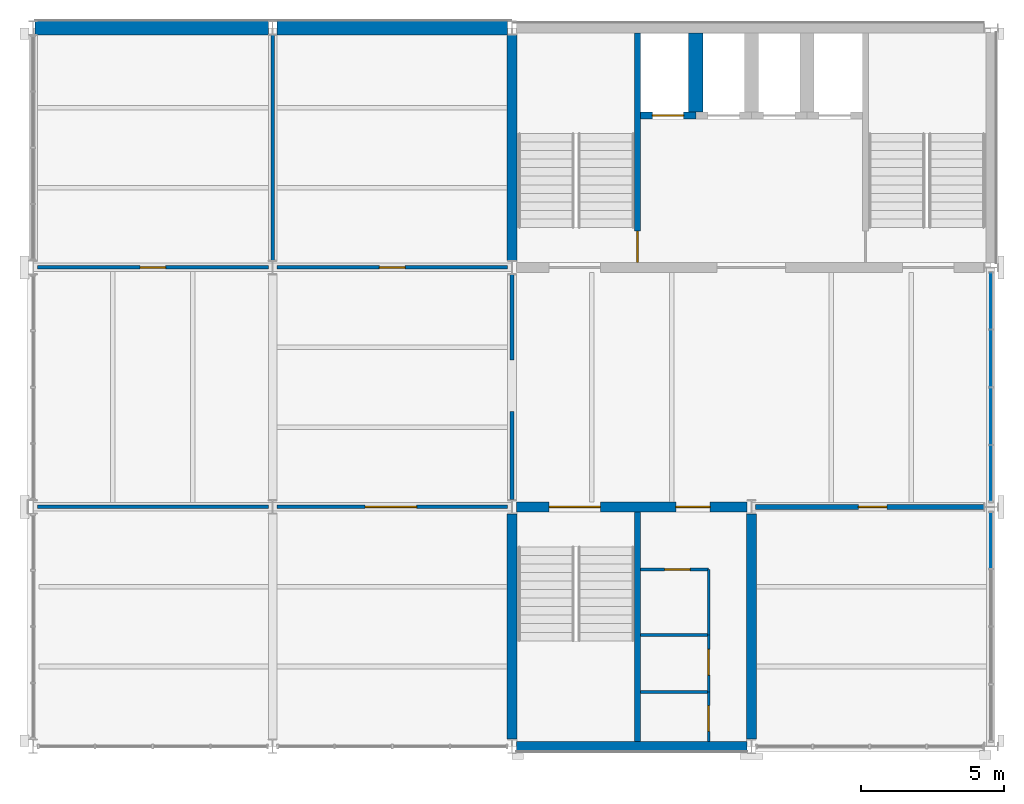
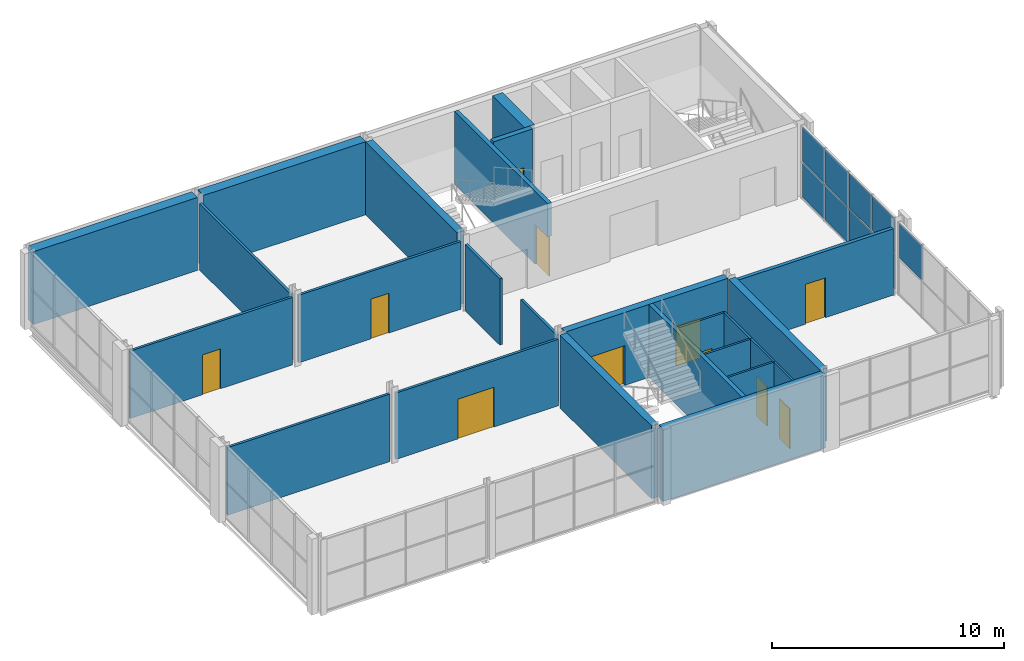
# One storey, part 8 of 12: 25 walls, 11 doors, 9 plates, 11 openings, 2 elements without a shape of their own.
"""IFC4 building model written with IfcOpenShell, lengths in metres."""

import ifcopenshell
import ifcopenshell.guid

model = None  # the IFC model being written
_history = None  # IfcOwnerHistory: only IFC2X3 demands one
_inside = {}  # id of a spatial element -> (the spatial element, [elements in it])
_under = {}  # id of a project, library or spatial element -> (it, [spatial elements below it])
_declared = {}  # id of a project -> (the project, [libraries it declares])
_typed = {}  # id of a type object -> (the type object, [elements of that type])
_made_of = {}  # id of a material, layer set ... -> (it, [elements and type objects made of it])


def new_model(schema):
    """Start an empty IFC model of exactly this schema.

    Asked for "IFC4X3", IfcOpenShell would pick the latest addendum, in which some entities
    have other attributes; the version numbers below select the first issue.
    IFC2X3 requires an IfcOwnerHistory on every rooted entity: one is made here for all.
    """
    global model, _history
    if schema == "IFC4X3":
        model = ifcopenshell.file(schema_version=(4, 3, 0, 0))
    else:
        model = ifcopenshell.file(schema=schema)
    _inside.clear()
    _under.clear()
    _declared.clear()
    _typed.clear()
    _made_of.clear()
    _history = None
    if model.schema == "IFC2X3":
        org = make("IfcOrganization", Name="unknown")
        user = make(
            "IfcPersonAndOrganization",
            ThePerson=make("IfcPerson", FamilyName="unknown"),
            TheOrganization=org,
        )
        app = make(
            "IfcApplication",
            ApplicationDeveloper=org,
            Version="unknown",
            ApplicationFullName="unknown",
            ApplicationIdentifier="unknown",
        )
        _history = make(
            "IfcOwnerHistory",
            OwningUser=user,
            OwningApplication=app,
            ChangeAction="ADDED",
            CreationDate=0,
        )
    return model


def make(cls, **values):
    """One entity of the class cls with the attributes given. An attribute that is None is left unset."""
    return model.create_entity(
        cls, **{name: value for name, value in values.items() if value is not None}
    )


def rooted(cls, **values):
    """An entity with a GlobalId (a new one), such as an element, a storey or a relation."""
    return make(cls, GlobalId=ifcopenshell.guid.new(), OwnerHistory=_history, **values)


def si_unit(unit_type, name, prefix=None):
    """IfcSIUnit, for example si_unit("LENGTHUNIT", "METRE", prefix="MILLI")."""
    return make("IfcSIUnit", UnitType=unit_type, Prefix=prefix, Name=name)


def assignment(units):
    """IfcUnitAssignment: the units of a project."""
    return None if units is None else make("IfcUnitAssignment", Units=units)


def point(xyz):
    """IfcCartesianPoint."""
    return None if xyz is None else make("IfcCartesianPoint", Coordinates=xyz)


def direction(xyz):
    """IfcDirection."""
    return None if xyz is None else make("IfcDirection", DirectionRatios=xyz)


def frame(location, z_axis=None, x_axis=None):
    """IfcAxis2Placement3D, a coordinate frame: its origin and axes. An axis left out is left unset."""
    return make(
        "IfcAxis2Placement3D",
        Location=point(location),
        Axis=direction(z_axis),
        RefDirection=direction(x_axis),
    )


def frame_2d(location, x_axis=None):
    """IfcAxis2Placement2D, a coordinate frame in the plane: its origin and x axis."""
    return make(
        "IfcAxis2Placement2D", Location=point(location), RefDirection=direction(x_axis)
    )


def origin():
    """The frame at (0, 0, 0) with its axes left unset."""
    return frame((0.0, 0.0, 0.0))


def origin_2d():
    """The frame at (0, 0) in the plane with its x axis left unset."""
    return frame_2d((0.0, 0.0))


def place(relative_to, where):
    """IfcLocalPlacement: puts the frame where relative to a parent placement (None: the world)."""
    return make(
        "IfcLocalPlacement", PlacementRelTo=relative_to, RelativePlacement=where
    )


def context(
    kind, dimensions, precision=None, world=None, true_north=None, identifier=None
):
    """IfcGeometricRepresentationContext, for example the 3D "Model" context."""
    return make(
        "IfcGeometricRepresentationContext",
        ContextIdentifier=identifier,
        ContextType=kind,
        CoordinateSpaceDimension=dimensions,
        Precision=precision,
        WorldCoordinateSystem=world,
        TrueNorth=true_north,
    )


def subcontext(parent, identifier, kind, view, scale=None):
    """IfcGeometricRepresentationSubContext, for example "Body" below "Model"."""
    return make(
        "IfcGeometricRepresentationSubContext",
        ContextIdentifier=identifier,
        ContextType=kind,
        ParentContext=parent,
        TargetScale=scale,
        TargetView=view,
    )


def project(units=None, contexts=None):
    """IfcProject with its units and contexts."""
    return rooted(
        "IfcProject",
        Name="project",
        RepresentationContexts=contexts,
        UnitsInContext=assignment(units),
    )


def spatial(cls, under=None, at=None, **own):
    """A site, building, storey or space (cls), placed at a placement, below another one or the project."""
    s = rooted(cls, ObjectPlacement=at, **own)
    if under is not None:
        _under.setdefault(under.id(), (under, []))[1].append(s)
    return s


def profile(cls, at=None, kind="AREA", **sizes):
    """A parametric profile (cls). Its sizes go by their IFC names, for example OverallWidth=200.0."""
    return make(cls, ProfileType=kind, Position=at, **sizes)


def rectangle(**sizes):
    """IfcRectangleProfileDef."""
    return profile("IfcRectangleProfileDef", **sizes)


def extrude(swept, where, along, depth):
    """IfcExtrudedAreaSolid: the profile swept, set in the frame where, extruded along a direction by depth."""
    return make(
        "IfcExtrudedAreaSolid",
        SweptArea=swept,
        Position=where,
        ExtrudedDirection=direction(along),
        Depth=depth,
    )


def shape(context_of_items, identifier, shape_type, items):
    """IfcShapeRepresentation: the items that make up one representation, for example the "Body"."""
    return make(
        "IfcShapeRepresentation",
        ContextOfItems=context_of_items,
        RepresentationIdentifier=identifier,
        RepresentationType=shape_type,
        Items=items,
    )


def material(Name=None, Category=None):
    """IfcMaterial."""
    return make("IfcMaterial", Name=Name, Category=Category)


def layer(
    of_material, thickness, ventilated=None, Name=None, Category=None, Priority=None
):
    """IfcMaterialLayer: one layer of a wall or slab, of a material (None: an air gap)."""
    return make(
        "IfcMaterialLayer",
        Material=of_material,
        LayerThickness=thickness,
        IsVentilated=ventilated,
        Name=Name,
        Category=Category,
        Priority=Priority,
    )


def layer_set(layers, Name=None):
    """IfcMaterialLayerSet."""
    return make("IfcMaterialLayerSet", MaterialLayers=layers, LayerSetName=Name)


def made_of(thing, what):
    """Note that an element or type object is made of a material, layer set ...; save() writes the relation."""
    if what is not None:
        _made_of.setdefault(what.id(), (what, []))[1].append(thing)
    return thing


def type_object(cls, material=None, **own):
    """A type object (cls), such as IfcWallType, which elements share."""
    return made_of(rooted(cls, **own), material)


def element(
    cls,
    number,
    at=None,
    inside=None,
    cuts=None,
    type_object=None,
    material=None,
    context=None,
    identifier="Body",
    shape_type=None,
    held_by="IfcProductDefinitionShape",
    body=None,
    shapes=None,
    **own,
):
    """One element of the class cls, such as IfcWall. Its Tag is "e" and its number.

    at: its placement. inside: the storey or other place that contains it. cuts: it is an
    opening in that element (IfcRelVoidsElement). A single representation is given by context,
    identifier, shape_type and body (its items); several are given by shapes. held_by: the class
    of the entity that holds the representations. save() writes the other relations.
    """
    e = rooted(cls, Tag="e%d" % number, ObjectPlacement=at, **own)
    if body is not None:
        shapes = [shape(context, identifier, shape_type, body)]
    if shapes is not None:
        e.Representation = make(held_by, Representations=shapes)
    if inside is not None:
        _inside.setdefault(inside.id(), (inside, []))[1].append(e)
    if cuts is not None:
        rooted(
            "IfcRelVoidsElement", RelatingBuildingElement=cuts, RelatedOpeningElement=e
        )
    if type_object is not None:
        _typed.setdefault(type_object.id(), (type_object, []))[1].append(e)
    return made_of(e, material)


def fill(opening, filler):
    """IfcRelFillsElement: the door or window that sits in an opening."""
    return rooted(
        "IfcRelFillsElement",
        RelatingOpeningElement=opening,
        RelatedBuildingElement=filler,
    )


def aggregate(whole, parts):
    """IfcRelAggregates: a whole, such as a stair, and the parts it consists of."""
    return rooted("IfcRelAggregates", RelatingObject=whole, RelatedObjects=parts)


def save(model, path):
    """Write the relations noted so far, then the file.

    IfcRelAggregates (storeys below a building ...), IfcRelContainedInSpatialStructure (elements
    in a storey), IfcRelDefinesByType, IfcRelAssociatesMaterial and IfcRelDeclares: one each for
    every whole, place, type object, material and project.
    """
    for whole, parts in _under.values():
        aggregate(whole, parts)
    for where, things in _inside.values():
        rooted(
            "IfcRelContainedInSpatialStructure",
            RelatedElements=things,
            RelatingStructure=where,
        )
    for kind, things in _typed.values():
        rooted("IfcRelDefinesByType", RelatedObjects=things, RelatingType=kind)
    for what, things in _made_of.values():
        rooted("IfcRelAssociatesMaterial", RelatedObjects=things, RelatingMaterial=what)
    for by, libraries in _declared.values():
        rooted("IfcRelDeclares", RelatingContext=by, RelatedDefinitions=libraries)
    model.write(path)


model = new_model("IFC4")

# Units and contexts
model_context = context("Model", 3, precision=1e-05, world=origin(), true_north=direction((0.0, 1.0)))
body_context = subcontext(model_context, "Body", "Model", "MODEL_VIEW")
ifc_project = project(units=[si_unit("LENGTHUNIT", "METRE"), si_unit("AREAUNIT", "SQUARE_METRE"), si_unit("VOLUMEUNIT", "CUBIC_METRE"), si_unit("PLANEANGLEUNIT", "RADIAN"), si_unit("MASSUNIT", "GRAM", prefix="KILO")], contexts=[model_context])

# Site, building, storey
site_placement = place(None, origin())
site = spatial("IfcSite", under=ifc_project, at=site_placement, CompositionType="ELEMENT")
building_placement = place(site_placement, origin())
building = spatial("IfcBuilding", under=site, at=building_placement, Name="Galleria Vessillo Department Store", CompositionType="ELEMENT")
storey_placement = place(building_placement, frame((0.0, 0.0, 35.60009765625)))
storey = spatial("IfcBuildingStorey", under=building, at=storey_placement, Name="L07", CompositionType="ELEMENT", Elevation=35.60009765625)

# Curtain wall, plate
ifc_material_1 = material(Name="Aluminium and glass curtain wall", Category="aluminium")
ifc_layer_1 = layer(ifc_material_1, 0.159912109375)
ifc_layer_set_1 = layer_set([ifc_layer_1], Name="Aluminium and glass curtain wall")
curtain_wall_type = type_object("IfcCurtainWallType", Name="Tower curtain wall CW4 2100 module", PredefinedType="NOTDEFINED", material=ifc_layer_set_1)
curtain_wall_1_placement = place(storey_placement, origin())
curtain_wall_1 = element("IfcCurtainWall", 1, at=curtain_wall_1_placement, inside=storey, type_object=curtain_wall_type, Name="Tower curtain wall CW4 2100 module TE-L07-01", PredefinedType="NOTDEFINED")
ifc_material_2 = material(Name="Glass laminated 44.2 low-e", Category="glass")
ifc_layer_2 = layer(ifc_material_2, 0.028076171875)
ifc_layer_set_2 = layer_set([ifc_layer_2], Name="Glass laminated 44.2 low-e")
plate_type_1 = type_object("IfcPlateType", Name="Laminated glass panel 28 mm", PredefinedType="CURTAIN_PANEL", material=ifc_layer_set_2)
plate_1_placement = place(storey_placement, frame((117.60009765625, 45.0224609375, 1.955078125), z_axis=(0.0, 0.0, 1.0), x_axis=(0.0, 1.0, 0.0)))
plate_1 = element("IfcPlate", 2, at=plate_1_placement, type_object=plate_type_1, Name="CW4 panel 4.2", PredefinedType="CURTAIN_PANEL", context=body_context, shape_type="SweptSolid", body=[
    extrude(rectangle(XDim=1.93505859375, YDim=0.028076171875, at=origin_2d()), origin(), (0.0, 0.0, 1.0), 1.835205078125),
])
aggregate(curtain_wall_1, [plate_1])

# Curtain wall, plates
curtain_wall_2_placement = place(storey_placement, origin())
curtain_wall_2 = element("IfcCurtainWall", 3, at=curtain_wall_2_placement, inside=storey, type_object=curtain_wall_type, Name="Tower curtain wall CW4 2100 module TE-L07-02", PredefinedType="NOTDEFINED")
plate_2_placement = place(storey_placement, frame((117.60009765625, 47.37744140625, 1.955078125), z_axis=(0.0, 0.0, 1.0), x_axis=(0.0, 1.0, 0.0)))
plate_2 = element("IfcPlate", 4, at=plate_2_placement, type_object=plate_type_1, Name="CW4 panel 1.2", PredefinedType="CURTAIN_PANEL", context=body_context, shape_type="SweptSolid", body=[
    extrude(rectangle(XDim=1.93505859375, YDim=0.028076171875, at=origin_2d()), origin(), (0.0, 0.0, 1.0), 1.835205078125),
])
plate_3_placement = place(storey_placement, frame((117.60009765625, 49.387451171875, 1.955078125), z_axis=(0.0, 0.0, 1.0), x_axis=(0.0, 1.0, 0.0)))
plate_3 = element("IfcPlate", 5, at=plate_3_placement, type_object=plate_type_1, Name="CW4 panel 2.2", PredefinedType="CURTAIN_PANEL", context=body_context, shape_type="SweptSolid", body=[
    extrude(rectangle(XDim=1.965087890625, YDim=0.028076171875, at=origin_2d()), origin(), (0.0, 0.0, 1.0), 1.835205078125),
])
plate_4_placement = place(storey_placement, frame((117.60009765625, 51.41259765625, 1.955078125), z_axis=(0.0, 0.0, 1.0), x_axis=(0.0, 1.0, 0.0)))
plate_4 = element("IfcPlate", 6, at=plate_4_placement, type_object=plate_type_1, Name="CW4 panel 3.2", PredefinedType="CURTAIN_PANEL", context=body_context, shape_type="SweptSolid", body=[
    extrude(rectangle(XDim=1.965087890625, YDim=0.028076171875, at=origin_2d()), origin(), (0.0, 0.0, 1.0), 1.835205078125),
])
plate_5_placement = place(storey_placement, frame((117.60009765625, 53.422607421875, 1.955078125), z_axis=(0.0, 0.0, 1.0), x_axis=(0.0, 1.0, 0.0)))
plate_5 = element("IfcPlate", 7, at=plate_5_placement, type_object=plate_type_1, Name="CW4 panel 4.2", PredefinedType="CURTAIN_PANEL", context=body_context, shape_type="SweptSolid", body=[
    extrude(rectangle(XDim=1.93505859375, YDim=0.028076171875, at=origin_2d()), origin(), (0.0, 0.0, 1.0), 1.835205078125),
])
ifc_material_3 = material(Name="Limestone spandrel on aluminium tray", Category="masonry")
ifc_layer_3 = layer(ifc_material_3, 0.028076171875)
ifc_layer_set_3 = layer_set([ifc_layer_3], Name="Limestone spandrel on aluminium tray")
plate_type_2 = type_object("IfcPlateType", Name="Stone spandrel panel 28 mm", PredefinedType="CURTAIN_PANEL", material=ifc_layer_set_3)
plate_6_placement = place(storey_placement, frame((117.60009765625, 47.37744140625, 0.06005859375), z_axis=(0.0, 0.0, 1.0), x_axis=(0.0, 1.0, 0.0)))
plate_6 = element("IfcPlate", 8, at=plate_6_placement, type_object=plate_type_2, Name="CW4 panel 1.1", PredefinedType="CURTAIN_PANEL", context=body_context, shape_type="SweptSolid", body=[
    extrude(rectangle(XDim=1.93505859375, YDim=0.028076171875, at=origin_2d()), origin(), (0.0, 0.0, 1.0), 1.8349609375),
])
plate_7_placement = place(storey_placement, frame((117.60009765625, 49.387451171875, 0.06005859375), z_axis=(0.0, 0.0, 1.0), x_axis=(0.0, 1.0, 0.0)))
plate_7 = element("IfcPlate", 9, at=plate_7_placement, type_object=plate_type_2, Name="CW4 panel 2.1", PredefinedType="CURTAIN_PANEL", context=body_context, shape_type="SweptSolid", body=[
    extrude(rectangle(XDim=1.965087890625, YDim=0.028076171875, at=origin_2d()), origin(), (0.0, 0.0, 1.0), 1.8349609375),
])
plate_8_placement = place(storey_placement, frame((117.60009765625, 51.41259765625, 0.06005859375), z_axis=(0.0, 0.0, 1.0), x_axis=(0.0, 1.0, 0.0)))
plate_8 = element("IfcPlate", 10, at=plate_8_placement, type_object=plate_type_2, Name="CW4 panel 3.1", PredefinedType="CURTAIN_PANEL", context=body_context, shape_type="SweptSolid", body=[
    extrude(rectangle(XDim=1.965087890625, YDim=0.028076171875, at=origin_2d()), origin(), (0.0, 0.0, 1.0), 1.8349609375),
])
plate_9_placement = place(storey_placement, frame((117.60009765625, 53.422607421875, 0.06005859375), z_axis=(0.0, 0.0, 1.0), x_axis=(0.0, 1.0, 0.0)))
plate_9 = element("IfcPlate", 11, at=plate_9_placement, type_object=plate_type_2, Name="CW4 panel 4.1", PredefinedType="CURTAIN_PANEL", context=body_context, shape_type="SweptSolid", body=[
    extrude(rectangle(XDim=1.93505859375, YDim=0.028076171875, at=origin_2d()), origin(), (0.0, 0.0, 1.0), 1.8349609375),
])
aggregate(curtain_wall_2, [plate_6, plate_2, plate_7, plate_3, plate_8, plate_4, plate_9, plate_5])

# Wall, opening, door
ifc_material_4 = material(Name="Acoustic gypsum board partition")
ifc_layer_4 = layer(ifc_material_4, 0.175048828125)
ifc_layer_set_4 = layer_set([ifc_layer_4], Name="Acoustic gypsum board partition")
wall_type_1 = type_object("IfcWallType", Name="Acoustic conference partition 175 mm", PredefinedType="PARTITIONING", material=ifc_layer_set_4)
wall_1_placement = place(storey_placement, frame((109.349853515625, 46.199951171875, 0.0), z_axis=(0.0, 0.0, 1.0), x_axis=(1.0, 0.0, 0.0)))
wall_1 = element("IfcWall", 12, at=wall_1_placement, inside=storey, type_object=wall_type_1, Name="Partition wall PT6 on L07 no. 009", PredefinedType="PARTITIONING", context=body_context, shape_type="SweptSolid", body=[
    extrude(rectangle(XDim=8.000244140625, YDim=0.175048828125, at=frame_2d((4.0, 0.0))), origin(), (0.0, 0.0, 1.0), 3.5),
])
opening_1_placement = place(wall_1_placement, frame((3.60009765625, 0.0, 0.0)))
opening_1 = element("IfcOpeningElement", 13, at=opening_1_placement, cuts=wall_1, Name="Opening D2905", PredefinedType="OPENING", context=body_context, shape_type="SweptSolid", body=[
    extrude(rectangle(XDim=1.0, YDim=2.10009765625, at=frame_2d((0.5, 1.050048828125))), frame((0.0, 0.09765625, 0.0), z_axis=(0.0, -1.0, 0.0), x_axis=(1.0, 0.0, 0.0)), (0.0, 0.0, 1.0), 0.195068359375),
])
ifc_material_5 = material(Name="Timber and glass door leaf", Category="wood")
door_type_1 = type_object("IfcDoorType", Name="Floor door 1000 single leaf", OperationType="SINGLE_SWING_LEFT", PredefinedType="DOOR", material=ifc_material_5)
door_1_placement = place(opening_1_placement, frame((1.0, 0.0, 0.0), z_axis=(0.0, 0.0, 1.0), x_axis=(-1.0, 0.0, 0.0)))
door_1 = element("IfcDoor", 14, at=door_1_placement, inside=storey, type_object=door_type_1, Name="Door D2905", OperationType="SINGLE_SWING_RIGHT", OverallHeight=2.10009765625, OverallWidth=1.0, PredefinedType="DOOR", context=body_context, shape_type="SweptSolid", body=[
    extrude(rectangle(XDim=1.0, YDim=2.10009765625, at=frame_2d((0.5, 1.050048828125))), frame((0.0, 0.02490234375, 0.0), z_axis=(0.0, -1.0, 0.0), x_axis=(1.0, 0.0, 0.0)), (0.0, 0.0, 1.0), 0.050048828125),
])
fill(opening_1, door_1)

# Wall
ifc_material_6 = material(Name="Solid clay block masonry", Category="masonry")
ifc_layer_5 = layer(ifc_material_6, 0.5)
ifc_layer_set_5 = layer_set([ifc_layer_5], Name="Solid clay block masonry")
wall_type_2 = type_object("IfcWallType", Name="Lift shaft partition wall 500 mm", PredefinedType="SOLIDWALL", material=ifc_layer_set_5)
wall_2_placement = place(storey_placement, frame((107.25, 62.824951171875, 0.0), z_axis=(0.0, 0.0, 1.0), x_axis=(0.0, -1.0, 0.0)))
element("IfcWall", 15, at=wall_2_placement, inside=storey, type_object=wall_type_2, Name="Lift shaft partition wall T1 L07", PredefinedType="SOLIDWALL", context=body_context, shape_type="SweptSolid", body=[
    extrude(rectangle(XDim=2.77490234375, YDim=0.5, at=frame_2d((1.387451171875, 0.0))), origin(), (0.0, 0.0, 1.0), 4.0),
])

# Wall, opening, door
ifc_material_7 = material(Name="Solid clay block masonry", Category="masonry")
ifc_layer_6 = layer(ifc_material_7, 0.25)
ifc_layer_set_6 = layer_set([ifc_layer_6], Name="Solid clay block masonry")
wall_type_3 = type_object("IfcWallType", Name="Lift shaft wall 250 mm", PredefinedType="SOLIDWALL", material=ifc_layer_set_6)
wall_3_placement = place(storey_placement, frame((105.300048828125, 59.925048828125, 0.0), z_axis=(0.0, 0.0, 1.0), x_axis=(1.0, 0.0, 0.0)))
wall_3 = element("IfcWall", 16, at=wall_3_placement, inside=storey, type_object=wall_type_3, Name="Lift shaft wall T1 landing side L07", PredefinedType="SOLIDWALL", context=body_context, shape_type="SweptSolid", body=[
    extrude(rectangle(XDim=1.949951171875, YDim=0.25, at=frame_2d((0.97509765625, 0.0))), origin(), (0.0, 0.0, 1.0), 4.0),
])
opening_2_placement = place(wall_3_placement, frame((0.4248046875, 0.0, 0.0)))
opening_2 = element("IfcOpeningElement", 17, at=opening_2_placement, cuts=wall_3, Name="Opening LD101", PredefinedType="OPENING", context=body_context, shape_type="SweptSolid", body=[
    extrude(rectangle(XDim=1.10009765625, YDim=2.10009765625, at=frame_2d((0.550048828125, 1.050048828125))), frame((0.0, 0.135009765625, 0.0), z_axis=(0.0, -1.0, 0.0), x_axis=(1.0, 0.0, 0.0)), (0.0, 0.0, 1.0), 0.27001953125),
])
ifc_material_8 = material(Name="Stainless steel lift door panel", Category="steel")
door_type_2 = type_object("IfcDoorType", Name="Lift landing door LD110 sliding 1100 x 2100", OperationType="SLIDING_TO_LEFT", PredefinedType="DOOR", material=ifc_material_8)
door_2_placement = place(opening_2_placement, frame((1.10009765625, 0.0, 0.0), z_axis=(0.0, 0.0, 1.0), x_axis=(-1.0, 0.0, 0.0)))
door_2 = element("IfcDoor", 18, at=door_2_placement, inside=storey, type_object=door_type_2, Name="Lift landing door T1 L07", OperationType="SLIDING_TO_RIGHT", OverallHeight=2.10009765625, OverallWidth=1.10009765625, PredefinedType="DOOR", context=body_context, shape_type="SweptSolid", body=[
    extrude(rectangle(XDim=1.10009765625, YDim=2.10009765625, at=frame_2d((0.550048828125, 1.050048828125))), frame((0.0, 0.02490234375, 0.0), z_axis=(0.0, -1.0, 0.0), x_axis=(1.0, 0.0, 0.0)), (0.0, 0.0, 1.0), 0.050048828125),
])
fill(opening_2, door_2)

# Wall
ifc_material_9 = material(Name="Gypsum board partition")
ifc_layer_7 = layer(ifc_material_9, 0.125)
ifc_layer_set_7 = layer_set([ifc_layer_7], Name="Gypsum board partition")
wall_type_4 = type_object("IfcWallType", Name="Office partition 125 mm", PredefinedType="PARTITIONING", material=ifc_layer_set_7)
wall_4_placement = place(storey_placement, frame((84.14990234375, 46.199951171875, 0.0), z_axis=(0.0, 0.0, 1.0), x_axis=(1.0, 0.0, 0.0)))
element("IfcWall", 19, at=wall_4_placement, inside=storey, type_object=wall_type_4, Name="Partition wall PT2 on L07 no. 007", PredefinedType="PARTITIONING", context=body_context, shape_type="SweptSolid", body=[
    extrude(rectangle(XDim=8.10009765625, YDim=0.125, at=frame_2d((4.050048828125, 0.0))), origin(), (0.0, 0.0, 1.0), 3.56005859375),
])

# Wall, opening, door
wall_5_placement = place(storey_placement, frame((92.5498046875, 46.199951171875, 0.0), z_axis=(0.0, 0.0, 1.0), x_axis=(1.0, 0.0, 0.0)))
wall_5 = element("IfcWall", 20, at=wall_5_placement, inside=storey, type_object=wall_type_4, Name="Partition wall PT2 on L07 no. 008", PredefinedType="PARTITIONING", context=body_context, shape_type="SweptSolid", body=[
    extrude(rectangle(XDim=8.100341796875, YDim=0.125, at=frame_2d((4.05029296875, 0.0))), origin(), (0.0, 0.0, 1.0), 3.5),
])
opening_3_placement = place(wall_5_placement, frame((3.10009765625, 0.0, 0.0)))
opening_3 = element("IfcOpeningElement", 21, at=opening_3_placement, cuts=wall_5, Name="Opening D2904", PredefinedType="OPENING", context=body_context, shape_type="SweptSolid", body=[
    extrude(rectangle(XDim=1.800048828125, YDim=2.10009765625, at=frame_2d((0.89990234375, 1.050048828125))), frame((0.0, 0.072509765625, 0.0), z_axis=(0.0, -1.0, 0.0), x_axis=(1.0, 0.0, 0.0)), (0.0, 0.0, 1.0), 0.14501953125),
])
ifc_material_10 = material(Name="Timber and glass door leaf", Category="wood")
door_type_3 = type_object("IfcDoorType", Name="Floor door 1800 double leaf", OperationType="DOUBLE_DOOR_SINGLE_SWING", PredefinedType="DOOR", material=ifc_material_10)
door_3_placement = place(opening_3_placement, origin())
door_3 = element("IfcDoor", 22, at=door_3_placement, inside=storey, type_object=door_type_3, Name="Door D2904", OperationType="DOUBLE_DOOR_SINGLE_SWING", OverallHeight=2.10009765625, OverallWidth=1.800048828125, PredefinedType="DOOR", context=body_context, shape_type="SweptSolid", body=[
    extrude(rectangle(XDim=1.800048828125, YDim=2.10009765625, at=frame_2d((0.89990234375, 1.050048828125))), frame((0.0, 0.02490234375, 0.0), z_axis=(0.0, -1.0, 0.0), x_axis=(1.0, 0.0, 0.0)), (0.0, 0.0, 1.0), 0.050048828125),
])
fill(opening_3, door_3)

# Walls
wall_6_placement = place(storey_placement, frame((100.800048828125, 46.449951171875, 0.0), z_axis=(0.0, 0.0, 1.0), x_axis=(0.0, 1.0, 0.0)))
element("IfcWall", 23, at=wall_6_placement, inside=storey, type_object=wall_type_4, Name="Partition wall PT2 on L07 no. 010", PredefinedType="PARTITIONING", context=body_context, shape_type="SweptSolid", body=[
    extrude(rectangle(XDim=3.10009765625, YDim=0.125, at=frame_2d((1.550048828125, 0.0))), origin(), (0.0, 0.0, 1.0), 3.5),
])
wall_7_placement = place(storey_placement, frame((100.800048828125, 51.349853515625, 0.0), z_axis=(0.0, 0.0, 1.0), x_axis=(0.0, 1.0, 0.0)))
element("IfcWall", 24, at=wall_7_placement, inside=storey, type_object=wall_type_4, Name="Partition wall PT2 on L07 no. 011", PredefinedType="PARTITIONING", context=body_context, shape_type="SweptSolid", body=[
    extrude(rectangle(XDim=3.000244140625, YDim=0.125, at=frame_2d((1.5, 0.0))), origin(), (0.0, 0.0, 1.0), 3.5),
])

# Wall, opening, door
wall_8_placement = place(storey_placement, frame((84.14990234375, 54.60009765625, 0.0), z_axis=(0.0, 0.0, 1.0), x_axis=(1.0, 0.0, 0.0)))
wall_8 = element("IfcWall", 25, at=wall_8_placement, inside=storey, type_object=wall_type_4, Name="Partition wall PT2 on L07 no. 012", PredefinedType="PARTITIONING", context=body_context, shape_type="SweptSolid", body=[
    extrude(rectangle(XDim=8.10009765625, YDim=0.125, at=frame_2d((4.050048828125, 0.0))), origin(), (0.0, 0.0, 1.0), 3.56005859375),
])
opening_4_placement = place(wall_8_placement, frame((3.60009765625, 0.0, 0.0)))
opening_4 = element("IfcOpeningElement", 26, at=opening_4_placement, cuts=wall_8, Name="Opening D2906", PredefinedType="OPENING", context=body_context, shape_type="SweptSolid", body=[
    extrude(rectangle(XDim=0.89990234375, YDim=2.10009765625, at=frame_2d((0.449951171875, 1.050048828125))), frame((0.0, 0.072509765625, 0.0), z_axis=(0.0, -1.0, 0.0), x_axis=(1.0, 0.0, 0.0)), (0.0, 0.0, 1.0), 0.14501953125),
])
ifc_material_11 = material(Name="Timber and glass door leaf", Category="wood")
door_type_4 = type_object("IfcDoorType", Name="Floor door 900 single leaf", OperationType="SINGLE_SWING_LEFT", PredefinedType="DOOR", material=ifc_material_11)
door_4_placement = place(opening_4_placement, origin())
door_4 = element("IfcDoor", 27, at=door_4_placement, inside=storey, type_object=door_type_4, Name="Door D2906", OperationType="SINGLE_SWING_LEFT", OverallHeight=2.10009765625, OverallWidth=0.89990234375, PredefinedType="DOOR", context=body_context, shape_type="SweptSolid", body=[
    extrude(rectangle(XDim=0.89990234375, YDim=2.10009765625, at=frame_2d((0.449951171875, 1.050048828125))), frame((0.0, 0.02490234375, 0.0), z_axis=(0.0, -1.0, 0.0), x_axis=(1.0, 0.0, 0.0)), (0.0, 0.0, 1.0), 0.050048828125),
])
fill(opening_4, door_4)

wall_9_placement = place(storey_placement, frame((92.5498046875, 54.60009765625, 0.0), z_axis=(0.0, 0.0, 1.0), x_axis=(1.0, 0.0, 0.0)))
wall_9 = element("IfcWall", 28, at=wall_9_placement, inside=storey, type_object=wall_type_4, Name="Partition wall PT2 on L07 no. 013", PredefinedType="PARTITIONING", context=body_context, shape_type="SweptSolid", body=[
    extrude(rectangle(XDim=8.100341796875, YDim=0.125, at=frame_2d((4.05029296875, 0.0))), origin(), (0.0, 0.0, 1.0), 3.56005859375),
])
opening_5_placement = place(wall_9_placement, frame((3.60009765625, 0.0, 0.0)))
opening_5 = element("IfcOpeningElement", 29, at=opening_5_placement, cuts=wall_9, Name="Opening D2907", PredefinedType="OPENING", context=body_context, shape_type="SweptSolid", body=[
    extrude(rectangle(XDim=0.89990234375, YDim=2.10009765625, at=frame_2d((0.449951171875, 1.050048828125))), frame((0.0, 0.072509765625, 0.0), z_axis=(0.0, -1.0, 0.0), x_axis=(1.0, 0.0, 0.0)), (0.0, 0.0, 1.0), 0.14501953125),
])
door_5_placement = place(opening_5_placement, origin())
door_5 = element("IfcDoor", 30, at=door_5_placement, inside=storey, type_object=door_type_4, Name="Door D2907", OperationType="SINGLE_SWING_RIGHT", OverallHeight=2.10009765625, OverallWidth=0.89990234375, PredefinedType="DOOR", context=body_context, shape_type="SweptSolid", body=[
    extrude(rectangle(XDim=0.89990234375, YDim=2.10009765625, at=frame_2d((0.449951171875, 1.050048828125))), frame((0.0, 0.02490234375, 0.0), z_axis=(0.0, -1.0, 0.0), x_axis=(1.0, 0.0, 0.0)), (0.0, 0.0, 1.0), 0.050048828125),
])
fill(opening_5, door_5)

# Walls
wall_10_placement = place(storey_placement, frame((92.39990234375, 54.85009765625, 0.0), z_axis=(0.0, 0.0, 1.0), x_axis=(0.0, 1.0, 0.0)))
element("IfcWall", 31, at=wall_10_placement, inside=storey, type_object=wall_type_4, Name="Partition wall PT2 on L07 no. 014", PredefinedType="PARTITIONING", context=body_context, shape_type="SweptSolid", body=[
    extrude(rectangle(XDim=7.89990234375, YDim=0.125, at=frame_2d((3.949951171875, 0.0))), origin(), (0.0, 0.0, 1.0), 3.5),
])
ifc_material_12 = material(Name="Concrete C32/40 reinforced", Category="concrete")
ifc_layer_8 = layer(ifc_material_12, 0.35009765625)
ifc_layer_set_8 = layer_set([ifc_layer_8], Name="Concrete C32/40 reinforced")
wall_type_5 = type_object("IfcWallType", Name="Reinforced concrete core wall 350 mm", PredefinedType="SHEAR", material=ifc_layer_set_8)
wall_11_placement = place(storey_placement, frame((100.800048828125, 54.85009765625, 0.0), z_axis=(0.0, 0.0, 1.0), x_axis=(0.0, 1.0, 0.0)))
element("IfcWall", 32, at=wall_11_placement, inside=storey, type_object=wall_type_5, Name="S-CW-TC-WEST-L07", PredefinedType="SHEAR", context=body_context, shape_type="SweptSolid", body=[
    extrude(rectangle(XDim=7.89990234375, YDim=0.35009765625, at=frame_2d((3.949951171875, 0.0))), origin(), (0.0, 0.0, 1.0), 3.85009765625),
])

# Wall, openings, doors
wall_12_placement = place(storey_placement, frame((100.949951171875, 46.199951171875, 0.0), z_axis=(0.0, 0.0, 1.0), x_axis=(1.0, 0.0, 0.0)))
wall_12 = element("IfcWall", 33, at=wall_12_placement, inside=storey, type_object=wall_type_5, Name="S-CW-TS-INTERIOR-L07", PredefinedType="SHEAR", context=body_context, shape_type="SweptSolid", body=[
    extrude(rectangle(XDim=8.10009765625, YDim=0.35009765625, at=frame_2d((4.050048828125, 0.0))), origin(), (0.0, 0.0, 1.0), 3.85009765625),
])
opening_6_placement = place(wall_12_placement, frame((1.14990234375, 0.0, 0.0)))
opening_6 = element("IfcOpeningElement", 34, at=opening_6_placement, cuts=wall_12, Name="Opening D5323", PredefinedType="OPENING", context=body_context, shape_type="SweptSolid", body=[
    extrude(rectangle(XDim=1.800048828125, YDim=2.10009765625, at=frame_2d((0.89990234375, 1.050048828125))), frame((0.0, 0.18505859375, 0.0), z_axis=(0.0, -1.0, 0.0), x_axis=(1.0, 0.0, 0.0)), (0.0, 0.0, 1.0), 0.3701171875),
])
opening_7_placement = place(wall_12_placement, frame((5.599853515625, 0.0, 0.0)))
opening_7 = element("IfcOpeningElement", 35, at=opening_7_placement, cuts=wall_12, Name="Opening D5324", PredefinedType="OPENING", context=body_context, shape_type="SweptSolid", body=[
    extrude(rectangle(XDim=1.199951171875, YDim=2.10009765625, at=frame_2d((0.60009765625, 1.050048828125))), frame((0.0, 0.18505859375, 0.0), z_axis=(0.0, -1.0, 0.0), x_axis=(1.0, 0.0, 0.0)), (0.0, 0.0, 1.0), 0.3701171875),
])
ifc_material_13 = material(Name="Fire-rated steel door leaf", Category="steel")
door_type_5 = type_object("IfcDoorType", Name="Door D120F fire door 1200 x 2100", OperationType="SINGLE_SWING_LEFT", PredefinedType="DOOR", material=ifc_material_13)
door_6_placement = place(opening_7_placement, frame((1.199951171875, 0.0, 0.0), z_axis=(0.0, 0.0, 1.0), x_axis=(-1.0, 0.0, 0.0)))
door_6 = element("IfcDoor", 36, at=door_6_placement, inside=storey, type_object=door_type_5, Name="Lobby door TS-WC-FLOOR L07", OperationType="SINGLE_SWING_LEFT", OverallHeight=2.10009765625, OverallWidth=1.199951171875, PredefinedType="DOOR", context=body_context, shape_type="SweptSolid", body=[
    extrude(rectangle(XDim=1.199951171875, YDim=2.10009765625, at=frame_2d((0.60009765625, 1.050048828125))), frame((0.0, 0.02490234375, 0.0), z_axis=(0.0, -1.0, 0.0), x_axis=(1.0, 0.0, 0.0)), (0.0, 0.0, 1.0), 0.050048828125),
])
fill(opening_7, door_6)
ifc_material_14 = material(Name="Fire-rated steel door leaf", Category="steel")
door_type_6 = type_object("IfcDoorType", Name="Door D180F double leaf 1800 x 2100", OperationType="DOUBLE_DOOR_SINGLE_SWING", PredefinedType="DOOR", material=ifc_material_14)
door_7_placement = place(opening_6_placement, frame((1.800048828125, 0.0, 0.0), z_axis=(0.0, 0.0, 1.0), x_axis=(-1.0, 0.0, 0.0)))
door_7 = element("IfcDoor", 37, at=door_7_placement, inside=storey, type_object=door_type_6, Name="Lobby door TS-ST12-FLOOR L07", OperationType="DOUBLE_DOOR_SINGLE_SWING", OverallHeight=2.10009765625, OverallWidth=1.800048828125, PredefinedType="DOOR", context=body_context, shape_type="SweptSolid", body=[
    extrude(rectangle(XDim=1.800048828125, YDim=2.10009765625, at=frame_2d((0.89990234375, 1.050048828125))), frame((0.0, 0.02490234375, 0.0), z_axis=(0.0, -1.0, 0.0), x_axis=(1.0, 0.0, 0.0)), (0.0, 0.0, 1.0), 0.050048828125),
])
fill(opening_6, door_7)

# Walls
for number, where, z_axis, x_axis, name in (
    (38, (100.800048828125, 38.050048828125, 0.0), (0.0, 0.0, 1.0), (0.0, 1.0, 0.0), "S-CW-TS-WEST-L07"),
    (39, (109.199951171875, 38.050048828125, 0.0), (0.0, 0.0, 1.0), (0.0, 1.0, 0.0), "S-CW-TS-EAST-L07"),
):
    element("IfcWall", number, at=place(storey_placement, frame(where, z_axis=z_axis, x_axis=x_axis)), inside=storey, type_object=wall_type_5, Name=name, PredefinedType="SHEAR", context=body_context, shape_type="SweptSolid", body=[
        extrude(rectangle(XDim=7.89990234375, YDim=0.35009765625, at=frame_2d((3.949951171875, 0.0))), origin(), (0.0, 0.0, 1.0), 3.85009765625),
    ])
ifc_material_15 = material(Name="Concrete C32/40 reinforced", Category="concrete")
ifc_layer_9 = layer(ifc_material_15, 0.35009765625)
ifc_layer_set_9 = layer_set([ifc_layer_9], Name="Concrete C32/40 reinforced")
wall_type_6 = type_object("IfcWallType", Name="Reinforced concrete core wall 350 mm, external", PredefinedType="SHEAR", material=ifc_layer_set_9)
wall_13_placement = place(storey_placement, frame((100.949951171875, 37.800048828125, 0.0), z_axis=(0.0, 0.0, 1.0), x_axis=(1.0, 0.0, 0.0)))
element("IfcWall", 40, at=wall_13_placement, inside=storey, type_object=wall_type_6, Name="S-CW-TS-PARTY-L07", PredefinedType="SHEAR", context=body_context, shape_type="SweptSolid", body=[
    extrude(rectangle(XDim=8.10009765625, YDim=0.35009765625, at=frame_2d((4.050048828125, 0.0))), origin(), (0.0, 0.0, 1.0), 3.85009765625),
])
ifc_material_16 = material(Name="Concrete C32/40 reinforced", Category="concrete")
ifc_layer_10 = layer(ifc_material_16, 0.5)
ifc_layer_set_10 = layer_set([ifc_layer_10], Name="Concrete C32/40 reinforced")
wall_type_7 = type_object("IfcWallType", Name="Reinforced concrete party wall 500 mm", PredefinedType="SHEAR", material=ifc_layer_set_10)
wall_14_placement = place(storey_placement, frame((84.074951171875, 63.0, 0.0), z_axis=(0.0, 0.0, 1.0), x_axis=(1.0, 0.0, 0.0)))
element("IfcWall", 41, at=wall_14_placement, inside=storey, type_object=wall_type_7, Name="S-TN-L07-01", PredefinedType="SHEAR", context=body_context, shape_type="SweptSolid", body=[
    extrude(rectangle(XDim=8.175048828125, YDim=0.5, at=frame_2d((4.08740234375, 0.0))), origin(), (0.0, 0.0, 1.0), 3.85009765625),
])
wall_15_placement = place(storey_placement, frame((92.5498046875, 63.0, 0.0), z_axis=(0.0, 0.0, 1.0), x_axis=(1.0, 0.0, 0.0)))
element("IfcWall", 42, at=wall_15_placement, inside=storey, type_object=wall_type_7, Name="S-TN-L07-02", PredefinedType="SHEAR", context=body_context, shape_type="SweptSolid", body=[
    extrude(rectangle(XDim=8.100341796875, YDim=0.5, at=frame_2d((4.05029296875, 0.0))), origin(), (0.0, 0.0, 1.0), 3.85009765625),
])

# Wall, opening, door
ifc_material_17 = material(Name="Concrete C32/40 reinforced", Category="concrete")
ifc_layer_11 = layer(ifc_material_17, 0.199951171875)
ifc_layer_set_11 = layer_set([ifc_layer_11], Name="Concrete C32/40 reinforced")
wall_type_8 = type_object("IfcWallType", Name="Reinforced concrete stair enclosure wall 200 mm", PredefinedType="SHEAR", material=ifc_layer_set_11)
wall_16_placement = place(storey_placement, frame((105.199951171875, 62.824951171875, 0.0), z_axis=(0.0, 0.0, 1.0), x_axis=(0.0, -1.0, 0.0)))
wall_16 = element("IfcWall", 43, at=wall_16_placement, inside=storey, type_object=wall_type_8, Name="Stair enclosure wall TC L07", PredefinedType="SHEAR", context=body_context, shape_type="SweptSolid", body=[
    extrude(rectangle(XDim=8.050048828125, YDim=0.199951171875, at=frame_2d((4.02490234375, 0.0))), origin(), (0.0, 0.0, 1.0), 3.849853515625),
])
opening_8_placement = place(wall_16_placement, frame((6.949951171875, 0.0, 0.0)))
opening_8 = element("IfcOpeningElement", 44, at=opening_8_placement, cuts=wall_16, Name="Opening D5275", PredefinedType="OPENING", context=body_context, shape_type="SweptSolid", body=[
    extrude(rectangle(XDim=1.11009765625, YDim=2.10009765625, at=frame_2d((0.554931640625, 1.050048828125))), frame((0.0, 0.10986328125, 0.0), z_axis=(0.0, -1.0, 0.0), x_axis=(1.0, 0.0, 0.0)), (0.0, 0.0, 1.0), 0.219970703125),
])
ifc_material_18 = material(Name="Fire-rated steel door leaf", Category="steel")
door_type_7 = type_object("IfcDoorType", Name="Door D110F stair door 1100 x 2100", OperationType="SINGLE_SWING_LEFT", PredefinedType="DOOR", material=ifc_material_18)
door_8_placement = place(opening_8_placement, frame((1.10009765625, 0.0, 0.0), z_axis=(0.0, 0.0, 1.0), x_axis=(-1.0, 0.0, 0.0)))
door_8 = element("IfcDoor", 45, at=door_8_placement, inside=storey, type_object=door_type_7, Name="Stair door TC-ST8-LOBBY L07", OperationType="SINGLE_SWING_LEFT", OverallHeight=2.10009765625, OverallWidth=1.10009765625, PredefinedType="DOOR", context=body_context, shape_type="SweptSolid", body=[
    extrude(rectangle(XDim=1.10009765625, YDim=2.10009765625, at=frame_2d((0.550048828125, 1.050048828125))), frame((0.0, 0.02490234375, 0.0), z_axis=(0.0, -1.0, 0.0), x_axis=(1.0, 0.0, 0.0)), (0.0, 0.0, 1.0), 0.050048828125),
])
fill(opening_8, door_8)

# Wall
wall_17_placement = place(storey_placement, frame((105.199951171875, 37.97509765625, 0.0), z_axis=(0.0, 0.0, 1.0), x_axis=(0.0, 1.0, 0.0)))
element("IfcWall", 46, at=wall_17_placement, inside=storey, type_object=wall_type_8, Name="Stair enclosure wall TS L07", PredefinedType="SHEAR", context=body_context, shape_type="SweptSolid", body=[
    extrude(rectangle(XDim=8.050048828125, YDim=0.199951171875, at=frame_2d((4.02490234375, 0.0))), origin(), (0.0, 0.0, 1.0), 3.849853515625),
])

# Wall, opening, door
ifc_material_19 = material(Name="Moisture-resistant board partition")
ifc_layer_12 = layer(ifc_material_19, 0.10009765625)
ifc_layer_set_12 = layer_set([ifc_layer_12], Name="Moisture-resistant board partition")
wall_type_9 = type_object("IfcWallType", Name="WC and cubicle partition 100 mm", PredefinedType="PARTITIONING", material=ifc_layer_set_12)
wall_18_placement = place(storey_placement, frame((105.300048828125, 44.0, 0.0), z_axis=(0.0, 0.0, 1.0), x_axis=(1.0, 0.0, 0.0)))
wall_18 = element("IfcWall", 47, at=wall_18_placement, inside=storey, type_object=wall_type_9, Name="Partition wall PT1 on L07 no. 001", PredefinedType="PARTITIONING", context=body_context, shape_type="SweptSolid", body=[
    extrude(rectangle(XDim=2.39990234375, YDim=0.10009765625, at=frame_2d((1.199951171875, 0.0))), origin(), (0.0, 0.0, 1.0), 3.780029296875),
])
opening_9_placement = place(wall_18_placement, frame((0.85009765625, 0.0, 0.0)))
opening_9 = element("IfcOpeningElement", 48, at=opening_9_placement, cuts=wall_18, Name="Opening D2901", PredefinedType="OPENING", context=body_context, shape_type="SweptSolid", body=[
    extrude(rectangle(XDim=0.89990234375, YDim=2.10009765625, at=frame_2d((0.449951171875, 1.050048828125))), frame((0.0, 0.06005859375, 0.0), z_axis=(0.0, -1.0, 0.0), x_axis=(1.0, 0.0, 0.0)), (0.0, 0.0, 1.0), 0.1201171875),
])
door_9_placement = place(opening_9_placement, origin())
door_9 = element("IfcDoor", 49, at=door_9_placement, inside=storey, type_object=door_type_4, Name="Door D2901", OperationType="SINGLE_SWING_LEFT", OverallHeight=2.10009765625, OverallWidth=0.89990234375, PredefinedType="DOOR", context=body_context, shape_type="SweptSolid", body=[
    extrude(rectangle(XDim=0.89990234375, YDim=2.10009765625, at=frame_2d((0.449951171875, 1.050048828125))), frame((0.0, 0.02490234375, 0.0), z_axis=(0.0, -1.0, 0.0), x_axis=(1.0, 0.0, 0.0)), (0.0, 0.0, 1.0), 0.050048828125),
])
fill(opening_9, door_9)

# Wall
wall_19_placement = place(storey_placement, frame((107.699951171875, 41.699951171875, 0.0), z_axis=(0.0, 0.0, 1.0), x_axis=(0.0, 1.0, 0.0)))
element("IfcWall", 50, at=wall_19_placement, inside=storey, type_object=wall_type_9, Name="Partition wall PT1 on L07 no. 002", PredefinedType="PARTITIONING", context=body_context, shape_type="SweptSolid", body=[
    extrude(rectangle(XDim=2.300048828125, YDim=0.10009765625, at=frame_2d((1.14990234375, 0.0))), origin(), (0.0, 0.0, 1.0), 3.780029296875),
])

# Wall, opening, door
wall_20_placement = place(storey_placement, frame((107.699951171875, 39.699951171875, 0.0), z_axis=(0.0, 0.0, 1.0), x_axis=(0.0, 1.0, 0.0)))
wall_20 = element("IfcWall", 51, at=wall_20_placement, inside=storey, type_object=wall_type_9, Name="Partition wall PT1 on L07 no. 003", PredefinedType="PARTITIONING", context=body_context, shape_type="SweptSolid", body=[
    extrude(rectangle(XDim=2.0, YDim=0.10009765625, at=frame_2d((1.0, 0.0))), origin(), (0.0, 0.0, 1.0), 3.780029296875),
])
opening_10_placement = place(wall_20_placement, frame((0.60009765625, 0.0, 0.0)))
opening_10 = element("IfcOpeningElement", 52, at=opening_10_placement, cuts=wall_20, Name="Opening D2902", PredefinedType="OPENING", context=body_context, shape_type="SweptSolid", body=[
    extrude(rectangle(XDim=0.89990234375, YDim=2.10009765625, at=frame_2d((0.449951171875, 1.050048828125))), frame((0.0, 0.06005859375, 0.0), z_axis=(0.0, -1.0, 0.0), x_axis=(1.0, 0.0, 0.0)), (0.0, 0.0, 1.0), 0.1201171875),
])
door_10_placement = place(opening_10_placement, frame((0.89990234375, 0.0, 0.0), z_axis=(0.0, 0.0, 1.0), x_axis=(-1.0, 0.0, 0.0)))
door_10 = element("IfcDoor", 53, at=door_10_placement, inside=storey, type_object=door_type_4, Name="Door D2902", OperationType="SINGLE_SWING_RIGHT", OverallHeight=2.10009765625, OverallWidth=0.89990234375, PredefinedType="DOOR", context=body_context, shape_type="SweptSolid", body=[
    extrude(rectangle(XDim=0.89990234375, YDim=2.10009765625, at=frame_2d((0.449951171875, 1.050048828125))), frame((0.0, 0.02490234375, 0.0), z_axis=(0.0, -1.0, 0.0), x_axis=(1.0, 0.0, 0.0)), (0.0, 0.0, 1.0), 0.050048828125),
])
fill(opening_10, door_10)

wall_21_placement = place(storey_placement, frame((107.699951171875, 37.97509765625, 0.0), z_axis=(0.0, 0.0, 1.0), x_axis=(0.0, 1.0, 0.0)))
wall_21 = element("IfcWall", 54, at=wall_21_placement, inside=storey, type_object=wall_type_9, Name="Partition wall PT1 on L07 no. 004", PredefinedType="PARTITIONING", context=body_context, shape_type="SweptSolid", body=[
    extrude(rectangle(XDim=1.724853515625, YDim=0.10009765625, at=frame_2d((0.8623046875, 0.0))), origin(), (0.0, 0.0, 1.0), 3.780029296875),
])
opening_11_placement = place(wall_21_placement, frame((0.35009765625, 0.0, 0.0)))
opening_11 = element("IfcOpeningElement", 55, at=opening_11_placement, cuts=wall_21, Name="Opening D2903", PredefinedType="OPENING", context=body_context, shape_type="SweptSolid", body=[
    extrude(rectangle(XDim=0.89990234375, YDim=2.10009765625, at=frame_2d((0.449951171875, 1.050048828125))), frame((0.0, 0.06005859375, 0.0), z_axis=(0.0, -1.0, 0.0), x_axis=(1.0, 0.0, 0.0)), (0.0, 0.0, 1.0), 0.1201171875),
])
ifc_material_20 = material(Name="Timber and glass door leaf", Category="wood")
door_type_8 = type_object("IfcDoorType", Name="Accessible WC door 900 sliding", OperationType="SLIDING_TO_LEFT", PredefinedType="DOOR", material=ifc_material_20)
door_11_placement = place(opening_11_placement, origin())
door_11 = element("IfcDoor", 56, at=door_11_placement, inside=storey, type_object=door_type_8, Name="Door D2903", OperationType="SLIDING_TO_RIGHT", OverallHeight=2.10009765625, OverallWidth=0.89990234375, PredefinedType="DOOR", context=body_context, shape_type="SweptSolid", body=[
    extrude(rectangle(XDim=0.89990234375, YDim=2.10009765625, at=frame_2d((0.449951171875, 1.050048828125))), frame((0.0, 0.02490234375, 0.0), z_axis=(0.0, -1.0, 0.0), x_axis=(1.0, 0.0, 0.0)), (0.0, 0.0, 1.0), 0.050048828125),
])
fill(opening_11, door_11)

# Walls
for number, where, z_axis, x_axis, name in (
    (57, (105.300048828125, 41.699951171875, 0.0), (0.0, 0.0, 1.0), (1.0, 0.0, 0.0), "Partition wall PT1 on L07 no. 005"),
    (58, (105.300048828125, 39.699951171875, 0.0), (0.0, 0.0, 1.0), (1.0, 0.0, 0.0), "Partition wall PT1 on L07 no. 006"),
):
    element("IfcWall", number, at=place(storey_placement, frame(where, z_axis=z_axis, x_axis=x_axis)), inside=storey, type_object=wall_type_9, Name=name, PredefinedType="PARTITIONING", context=body_context, shape_type="SweptSolid", body=[
        extrude(rectangle(XDim=2.39990234375, YDim=0.10009765625, at=frame_2d((1.199951171875, 0.0))), origin(), (0.0, 0.0, 1.0), 3.780029296875),
    ])

save(model, "model.ifc")
